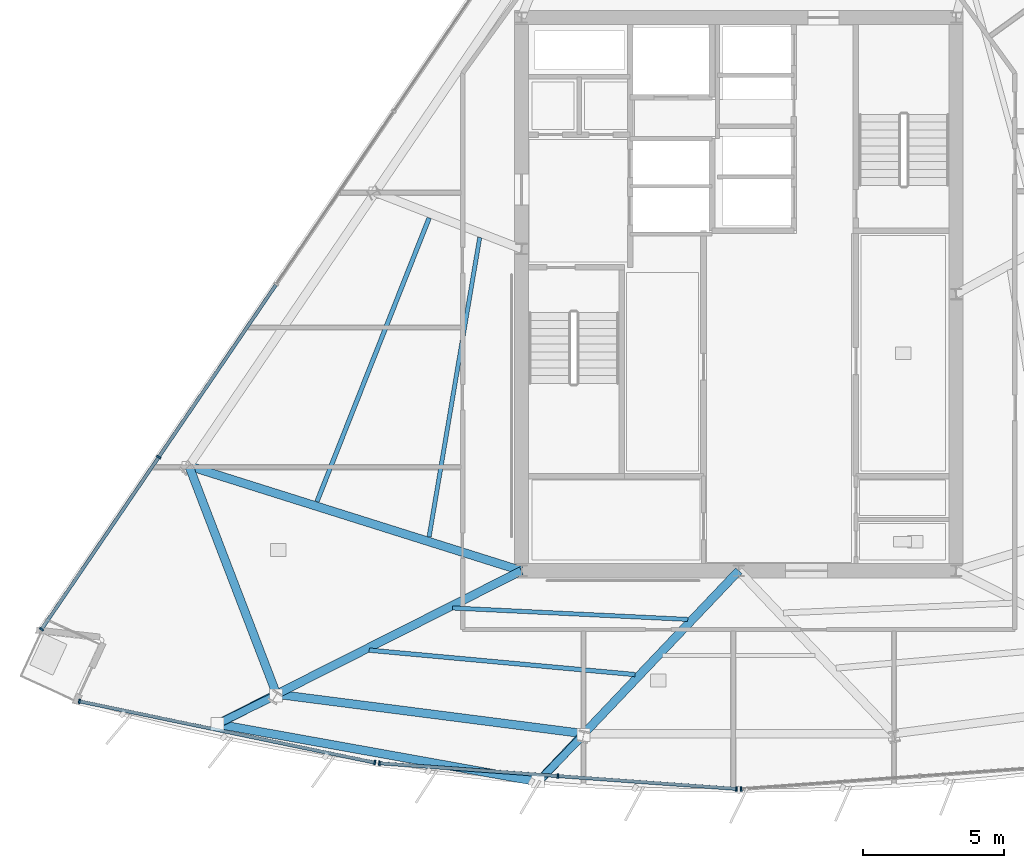
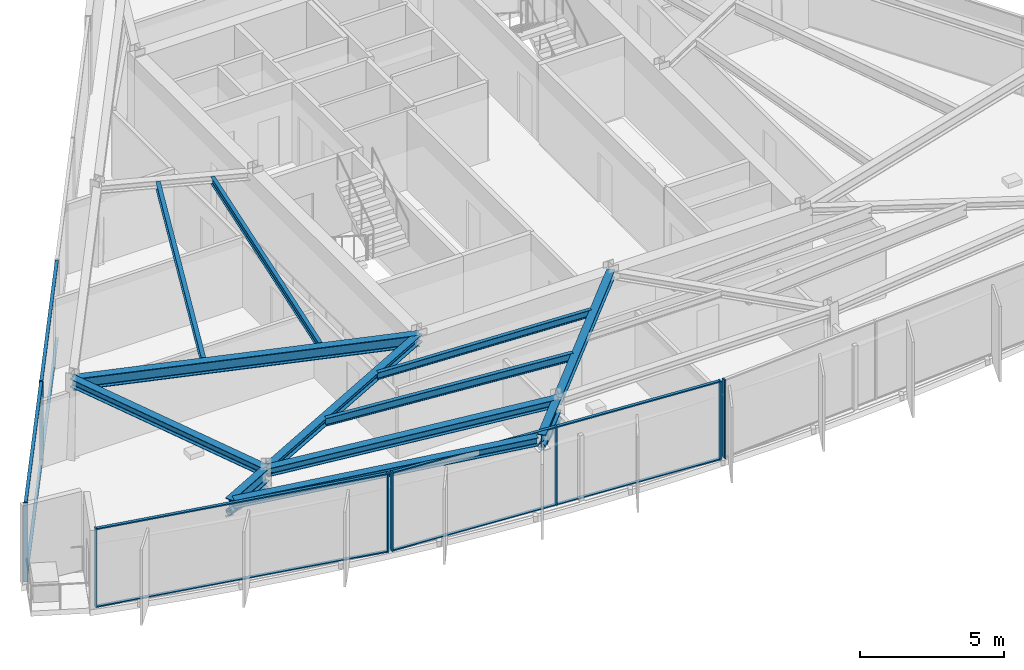
# One storey, part 2 of 13: 20 members, 12 beams, 4 elements without a shape of their own.
"""IFC4 building model written with IfcOpenShell, lengths in metres."""

from ifc_helpers import new_model, si_unit, direction, frame, origin, origin_2d, place, context, subcontext, project, spatial, rectangle, hollow_circle, i_section, extrude, material, material_profile, profile_set, type_object, element, aggregate, save


model = new_model("IFC4")

# Units and contexts
model_context = context("Model", 3, precision=1e-05, world=origin(), true_north=direction((0.0, 1.0)))
body_context = subcontext(model_context, "Body", "Model", "MODEL_VIEW")
ifc_project = project(units=[si_unit("LENGTHUNIT", "METRE"), si_unit("AREAUNIT", "SQUARE_METRE"), si_unit("VOLUMEUNIT", "CUBIC_METRE"), si_unit("PLANEANGLEUNIT", "RADIAN"), si_unit("MASSUNIT", "GRAM", prefix="KILO")], contexts=[model_context])

# Site, building, storey
site_placement = place(None, origin())
site = spatial("IfcSite", under=ifc_project, at=site_placement, CompositionType="ELEMENT")
building_placement = place(site_placement, origin())
building = spatial("IfcBuilding", under=site, at=building_placement, Name="Savorim Split Tower", CompositionType="ELEMENT")
storey_placement = place(building_placement, frame((0.0, 0.0, 223.5)))
storey = spatial("IfcBuildingStorey", under=building, at=storey_placement, Name="L59", CompositionType="ELEMENT", Elevation=223.5)

# Beams
ifc_material_1 = material(Name="Steel S355", Category="steel")
ifc_material_profile_1 = material_profile(ifc_material_1, i_section(OverallWidth=0.14990234375, OverallDepth=0.300048828125, WebThickness=0.007080078125, FlangeThickness=0.0107421875, FilletRadius=0.014892578125, at=origin_2d()), Name="IPE 300")
ifc_profile_set_1 = profile_set([ifc_material_profile_1], Name="Steel S355")
beam_type_1 = type_object("IfcBeamType", Name="BM-JST-IPE300", PredefinedType="JOIST", material=ifc_profile_set_1)
beam_1_placement = place(storey_placement, frame((-10.142333984375, -10.719970703125, 3.199951171875), z_axis=(0.998828820926, -0.048383741977, 0.0), x_axis=(0.048383741977, 0.998828820926, 0.0)))
element("IfcBeam", 1, at=beam_1_placement, inside=storey, type_object=beam_type_1, Name="L59 Secondary Floor Joist JS-02", PredefinedType="JOIST", context=body_context, shape_type="SweptSolid", body=[
    extrude(i_section(OverallWidth=0.14990234375, OverallDepth=0.300048828125, WebThickness=0.007080078125, FlangeThickness=0.0107421875, FilletRadius=0.014892578125, at=origin_2d()), origin(), (0.0, 0.0, 1.0), 8.345947265625),
])
beam_2_placement = place(storey_placement, frame((-9.1767578125, 2.404541015625, 3.199951171875), z_axis=(-0.166746300911, -0.985999833231, 0.0), x_axis=(0.985999833231, -0.166746300911, 0.0)))
element("IfcBeam", 2, at=beam_2_placement, inside=storey, type_object=beam_type_1, Name="L59 Secondary Floor Joist JS-11", PredefinedType="JOIST", context=body_context, shape_type="SweptSolid", body=[
    extrude(i_section(OverallWidth=0.14990234375, OverallDepth=0.300048828125, WebThickness=0.007080078125, FlangeThickness=0.0107421875, FilletRadius=0.014892578125, at=origin_2d()), origin(), (0.0, 0.0, 1.0), 10.758544921875),
])
ifc_material_profile_2 = material_profile(ifc_material_1, i_section(OverallWidth=0.159912109375, OverallDepth=0.330078125, WebThickness=0.007568359375, FlangeThickness=0.011474609375, FilletRadius=0.01806640625, at=origin_2d()), Name="IPE 330")
ifc_profile_set_2 = profile_set([ifc_material_profile_2], Name="Steel S355")
beam_type_2 = type_object("IfcBeamType", Name="BM-JST-IPE330", PredefinedType="JOIST", material=ifc_profile_set_2)
beam_3_placement = place(storey_placement, frame((-13.092041015625, -12.214111328125, 3.18505859375), z_axis=(0.995808800025, -0.091459465294, 0.0), x_axis=(0.091459465294, 0.995808800025, 0.0)))
element("IfcBeam", 3, at=beam_3_placement, inside=storey, type_object=beam_type_2, Name="L59 Secondary Floor Joist JS-01", PredefinedType="JOIST", context=body_context, shape_type="SweptSolid", body=[
    extrude(i_section(OverallWidth=0.159912109375, OverallDepth=0.330078125, WebThickness=0.007568359375, FlangeThickness=0.011474609375, FilletRadius=0.01806640625, at=origin_2d()), origin(), (0.0, 0.0, 1.0), 9.460205078125),
])
beam_4_placement = place(storey_placement, frame((-10.969482421875, 3.096435546875, 3.18505859375), z_axis=(-0.367725693236, -0.929934306569, 0.0), x_axis=(0.929934306569, -0.367725693236, 0.0)))
element("IfcBeam", 4, at=beam_4_placement, inside=storey, type_object=beam_type_2, Name="L59 Secondary Floor Joist JS-10", PredefinedType="JOIST", context=body_context, shape_type="SweptSolid", body=[
    extrude(i_section(OverallWidth=0.159912109375, OverallDepth=0.330078125, WebThickness=0.007568359375, FlangeThickness=0.011474609375, FilletRadius=0.01806640625, at=origin_2d()), origin(), (0.0, 0.0, 1.0), 10.8046875),
])
ifc_material_profile_3 = material_profile(ifc_material_1, i_section(OverallWidth=0.300048828125, OverallDepth=0.320068359375, WebThickness=0.011474609375, FlangeThickness=0.0205078125, FilletRadius=0.027099609375, at=origin_2d()), Name="HEB 320")
ifc_profile_set_3 = profile_set([ifc_material_profile_3], Name="Steel S355")
beam_type_3 = type_object("IfcBeamType", Name="BM-PRI-HEB320", PredefinedType="BEAM", material=ifc_profile_set_3)
beam_5_placement = place(storey_placement, frame((-16.373779296875, -13.774169921875, 3.18994140625), z_axis=(0.892883832921, 0.450287087211, 0.0), x_axis=(-0.450287087211, 0.892883832921, 0.0)))
element("IfcBeam", 5, at=beam_5_placement, inside=storey, type_object=beam_type_3, Name="L59 Primary Floor Girder RG-01", PredefinedType="BEAM", context=body_context, shape_type="SweptSolid", body=[
    extrude(i_section(OverallWidth=0.300048828125, OverallDepth=0.320068359375, WebThickness=0.011474609375, FlangeThickness=0.0205078125, FilletRadius=0.027099609375, at=origin_2d()), origin(), (0.0, 0.0, 1.0), 9.71435546875),
])
beam_6_placement = place(storey_placement, frame((-5.48779296875, -15.171875, 3.18994140625), z_axis=(0.689041042326, 0.72472232061, 0.0), x_axis=(-0.72472232061, 0.689041042326, 0.0)))
element("IfcBeam", 6, at=beam_6_placement, inside=storey, type_object=beam_type_3, Name="L59 Primary Floor Girder RG-02", PredefinedType="BEAM", context=body_context, shape_type="SweptSolid", body=[
    extrude(i_section(OverallWidth=0.300048828125, OverallDepth=0.320068359375, WebThickness=0.011474609375, FlangeThickness=0.0205078125, FilletRadius=0.027099609375, at=origin_2d()), origin(), (0.0, 0.0, 1.0), 7.96435546875),
])
ifc_material_profile_4 = material_profile(ifc_material_1, i_section(OverallWidth=0.300048828125, OverallDepth=0.5, WebThickness=0.014404296875, FlangeThickness=0.028076171875, FilletRadius=0.027099609375, at=origin_2d()), Name="HEB 500")
ifc_profile_set_4 = profile_set([ifc_material_profile_4], Name="Steel S355")
beam_type_4 = type_object("IfcBeamType", Name="BM-PRI-HEB500", PredefinedType="BEAM", material=ifc_profile_set_4)
beam_7_placement = place(storey_placement, frame((-19.476318359375, -5.690185546875, 3.10009765625), z_axis=(0.953794905796, -0.300458445841, 0.0), x_axis=(0.300458445841, 0.953794905796, 0.0)))
element("IfcBeam", 7, at=beam_7_placement, inside=storey, type_object=beam_type_4, Name="L59 Primary Floor Girder RG-10", PredefinedType="BEAM", context=body_context, shape_type="SweptSolid", body=[
    extrude(i_section(OverallWidth=0.300048828125, OverallDepth=0.5, WebThickness=0.014404296875, FlangeThickness=0.028076171875, FilletRadius=0.027099609375, at=origin_2d()), origin(), (0.0, 0.0, 1.0), 12.346923828125),
])
ifc_material_profile_5 = material_profile(ifc_material_1, i_section(OverallWidth=0.300048828125, OverallDepth=0.550048828125, WebThickness=0.014892578125, FlangeThickness=0.029052734375, FilletRadius=0.027099609375, at=origin_2d()), Name="HEB 550")
ifc_profile_set_5 = profile_set([ifc_material_profile_5], Name="Steel S355")
beam_type_5 = type_object("IfcBeamType", Name="BM-PRI-HEB550", PredefinedType="BEAM", material=ifc_profile_set_5)
for number, where, z_axis, x_axis, name in (
    (8, (-16.373779296875, -13.774169921875, 3.074951171875), (-0.892905302562, -0.450244512077, 0.0), (0.450244512077, -0.892905302562, 0.0), "L59 Cantilevered Lounge Rib 1"),
    (9, (-5.48779296875, -15.171875, 3.074951171875), (-0.689066100686, -0.724698495159, 0.0), (0.724698495159, -0.689066100686, 0.0), "L59 Cantilevered Lounge Rib 2"),
):
    element("IfcBeam", number, at=place(storey_placement, frame(where, z_axis=z_axis, x_axis=x_axis)), inside=storey, type_object=beam_type_5, Name=name, PredefinedType="BEAM", context=body_context, shape_type="SweptSolid", body=[
        extrude(i_section(OverallWidth=0.300048828125, OverallDepth=0.550048828125, WebThickness=0.014892578125, FlangeThickness=0.029052734375, FilletRadius=0.027099609375, at=origin_2d()), origin(), (0.0, 0.0, 1.0), 2.35009765625),
    ])
ifc_material_profile_6 = material_profile(ifc_material_1, i_section(OverallWidth=0.300048828125, OverallDepth=0.35009765625, WebThickness=0.010009765625, FlangeThickness=0.017578125, FilletRadius=0.027099609375, at=origin_2d()), Name="HEA 360")
ifc_profile_set_6 = profile_set([ifc_material_profile_6], Name="Steel S355")
beam_type_6 = type_object("IfcBeamType", Name="BM-SPN-HEA360", PredefinedType="SPANDREL", material=ifc_profile_set_6)
beam_8_placement = place(storey_placement, frame((-16.373779296875, -13.774169921875, 3.175048828125), z_axis=(0.991857906554, -0.127349492364, 0.0), x_axis=(0.127349492364, 0.991857906554, 0.0)))
element("IfcBeam", 10, at=beam_8_placement, inside=storey, type_object=beam_type_6, Name="L59 Perimeter Spandrel Beam 1", PredefinedType="SPANDREL", context=body_context, shape_type="SweptSolid", body=[
    extrude(i_section(OverallWidth=0.300048828125, OverallDepth=0.35009765625, WebThickness=0.010009765625, FlangeThickness=0.017578125, FilletRadius=0.027099609375, at=origin_2d()), origin(), (0.0, 0.0, 1.0), 10.975341796875),
])
beam_9_placement = place(storey_placement, frame((-19.476318359375, -5.690185546875, 3.175048828125), z_axis=(0.358306367388, -0.933604063342, 0.0), x_axis=(0.933604063342, 0.358306367388, 0.0)))
element("IfcBeam", 11, at=beam_9_placement, inside=storey, type_object=beam_type_6, Name="L59 Perimeter Spandrel Beam 10", PredefinedType="SPANDREL", context=body_context, shape_type="SweptSolid", body=[
    extrude(i_section(OverallWidth=0.300048828125, OverallDepth=0.35009765625, WebThickness=0.010009765625, FlangeThickness=0.017578125, FilletRadius=0.027099609375, at=origin_2d()), origin(), (0.0, 0.0, 1.0), 8.658935546875),
])
beam_10_placement = place(storey_placement, frame((-18.314697265625, -14.860595703125, 3.175048828125), z_axis=(0.984228712261, -0.176900655625, 0.0), x_axis=(0.176900655625, 0.984228712261, 0.0)))
element("IfcBeam", 12, at=beam_10_placement, inside=storey, type_object=beam_type_6, Name="L59 Cantilevered Lounge Front Edge Beam", PredefinedType="SPANDREL", context=body_context, shape_type="SweptSolid", body=[
    extrude(i_section(OverallWidth=0.300048828125, OverallDepth=0.35009765625, WebThickness=0.010009765625, FlangeThickness=0.017578125, FilletRadius=0.027099609375, at=origin_2d()), origin(), (0.0, 0.0, 1.0), 11.22705078125),
])

# Curtain wall, members
ifc_material_2 = material(Name="Dark Ceramic-Fritted Insulated Glass", Category="glass")
curtain_wall_type = type_object("IfcCurtainWallType", Name="CW-TWR-FRIT-B", PredefinedType="NOTDEFINED", material=ifc_material_2)
curtain_wall_1_placement = place(storey_placement, origin())
curtain_wall_1 = element("IfcCurtainWall", 13, at=curtain_wall_1_placement, inside=storey, type_object=curtain_wall_type, Name="L59 Curtain Wall CW-L59-SF1", PredefinedType="NOTDEFINED")
ifc_material_3 = material(Name="Charcoal Anodised Aluminium", Category="aluminium")
ifc_material_profile_7 = material_profile(ifc_material_3, rectangle(XDim=0.159912109375, YDim=0.06005859375, at=origin_2d()), Name="ALU-M 160x60")
ifc_profile_set_7 = profile_set([ifc_material_profile_7], Name="Charcoal Anodised Aluminium")
member_type_1 = type_object("IfcMemberType", Name="CWM-160x60", PredefinedType="MULLION", material=ifc_profile_set_7)
member_1_placement = place(storey_placement, frame((-23.359619140625, -14.0244140625, 0.0), z_axis=(0.0, 0.0, 1.0), x_axis=(0.203212249506, 0.979134710676, 0.0)))
member_1 = element("IfcMember", 14, at=member_1_placement, type_object=member_type_1, Name="CW-03 mullion 1", PredefinedType="MULLION", context=body_context, shape_type="SweptSolid", body=[
    extrude(rectangle(XDim=0.159912109375, YDim=0.06005859375, at=origin_2d()), origin(), (0.0, 0.0, 1.0), 3.35009765625),
])
member_2_placement = place(storey_placement, frame((-12.894287109375, -16.196533203125, 0.0), z_axis=(0.0, 0.0, 1.0), x_axis=(0.203212249506, 0.979134710676, 0.0)))
member_2 = element("IfcMember", 15, at=member_2_placement, type_object=member_type_1, Name="CW-03 mullion 2", PredefinedType="MULLION", context=body_context, shape_type="SweptSolid", body=[
    extrude(rectangle(XDim=0.159912109375, YDim=0.06005859375, at=origin_2d()), origin(), (0.0, 0.0, 1.0), 3.35009765625),
])

curtain_wall_2_placement = place(storey_placement, origin())
curtain_wall_2 = element("IfcCurtainWall", 16, at=curtain_wall_2_placement, inside=storey, type_object=curtain_wall_type, Name="L59 Curtain Wall CW-L59-SF2", PredefinedType="NOTDEFINED")
member_3_placement = place(storey_placement, frame((-12.732177734375, -16.218994140625, 0.0), z_axis=(0.0, 0.0, 1.0), x_axis=(0.071558224136, 0.997436424319, 0.0)))
member_3 = element("IfcMember", 17, at=member_3_placement, type_object=member_type_1, Name="CW-03 mullion 1", PredefinedType="MULLION", context=body_context, shape_type="SweptSolid", body=[
    extrude(rectangle(XDim=0.159912109375, YDim=0.06005859375, at=origin_2d()), origin(), (0.0, 0.0, 1.0), 3.35009765625),
])
member_4_placement = place(storey_placement, frame((-6.40673828125, -16.6728515625, 0.0), z_axis=(0.0, 0.0, 1.0), x_axis=(0.071558224136, 0.997436424319, 0.0)))
member_4 = element("IfcMember", 18, at=member_4_placement, type_object=member_type_1, Name="CW-03 mullion 2", PredefinedType="MULLION", context=body_context, shape_type="SweptSolid", body=[
    extrude(rectangle(XDim=0.159912109375, YDim=0.06005859375, at=origin_2d()), origin(), (0.0, 0.0, 1.0), 3.35009765625),
])
member_5_placement = place(storey_placement, frame((-0.081298828125, -17.126708984375, 0.0), z_axis=(0.0, 0.0, 1.0), x_axis=(0.071558224136, 0.997436424319, 0.0)))
member_5 = element("IfcMember", 19, at=member_5_placement, type_object=member_type_1, Name="CW-03 mullion 3", PredefinedType="MULLION", context=body_context, shape_type="SweptSolid", body=[
    extrude(rectangle(XDim=0.159912109375, YDim=0.06005859375, at=origin_2d()), origin(), (0.0, 0.0, 1.0), 3.35009765625),
])

# Curtain wall, member
curtain_wall_3_placement = place(storey_placement, origin())
curtain_wall_3 = element("IfcCurtainWall", 20, at=curtain_wall_3_placement, inside=storey, type_object=curtain_wall_type, Name="L59 Curtain Wall CW-L59-SF3", PredefinedType="NOTDEFINED")
member_6_placement = place(storey_placement, frame((0.081298828125, -17.126708984375, 0.0), z_axis=(0.0, 0.0, 1.0), x_axis=(-0.071558224136, 0.997436424319, 0.0)))
member_6 = element("IfcMember", 21, at=member_6_placement, type_object=member_type_1, Name="CW-03 mullion 1", PredefinedType="MULLION", context=body_context, shape_type="SweptSolid", body=[
    extrude(rectangle(XDim=0.159912109375, YDim=0.06005859375, at=origin_2d()), origin(), (0.0, 0.0, 1.0), 3.35009765625),
])
aggregate(curtain_wall_3, [member_6])

# Curtain wall, members
curtain_wall_4_placement = place(storey_placement, origin())
curtain_wall_4 = element("IfcCurtainWall", 22, at=curtain_wall_4_placement, inside=storey, type_object=curtain_wall_type, Name="L59 Curtain Wall CW-L59-WEST", PredefinedType="NOTDEFINED")
member_7_placement = place(storey_placement, frame((-20.5498046875, -5.375732421875, 0.0), z_axis=(0.0, 0.0, 1.0), x_axis=(0.826820024782, -0.562466573779, 0.0)))
member_7 = element("IfcMember", 23, at=member_7_placement, type_object=member_type_1, Name="CW-03 mullion 4", PredefinedType="MULLION", context=body_context, shape_type="SweptSolid", body=[
    extrude(rectangle(XDim=0.159912109375, YDim=0.06005859375, at=origin_2d()), origin(), (0.0, 0.0, 1.0), 3.35009765625),
])
member_8_placement = place(storey_placement, frame((-24.699462890625, -11.4755859375, 0.0), z_axis=(0.0, 0.0, 1.0), x_axis=(0.826820024782, -0.562466573779, 0.0)))
member_8 = element("IfcMember", 24, at=member_8_placement, type_object=member_type_1, Name="CW-03 mullion 5", PredefinedType="MULLION", context=body_context, shape_type="SweptSolid", body=[
    extrude(rectangle(XDim=0.159912109375, YDim=0.06005859375, at=origin_2d()), origin(), (0.0, 0.0, 1.0), 3.35009765625),
])

# Member
ifc_material_profile_8 = material_profile(ifc_material_3, rectangle(XDim=0.1201171875, YDim=0.050048828125, at=origin_2d()), Name="ALU-T 120x50")
ifc_profile_set_8 = profile_set([ifc_material_profile_8], Name="Charcoal Anodised Aluminium")
member_type_2 = type_object("IfcMemberType", Name="CWT-120x50", PredefinedType="USERDEFINED", material=ifc_profile_set_8)
member_9_placement = place(storey_placement, frame((-23.330322265625, -14.030517578125, 0.02490234375), z_axis=(0.979133406281, -0.203218534354, 0.0), x_axis=(0.203218534354, 0.979133406281, 0.0)))
member_9 = element("IfcMember", 25, at=member_9_placement, type_object=member_type_2, Name="CW-03 transom 1.1", ObjectType="TRANSOM", PredefinedType="USERDEFINED", context=body_context, shape_type="SweptSolid", body=[
    extrude(rectangle(XDim=0.1201171875, YDim=0.050048828125, at=origin_2d()), origin(), (0.0, 0.0, 1.0), 10.62841796875),
])

member_10_placement = place(storey_placement, frame((-23.330322265625, -14.030517578125, 3.324951171875), z_axis=(0.979133406281, -0.203218534354, 0.0), x_axis=(0.203218534354, 0.979133406281, 0.0)))
member_10 = element("IfcMember", 26, at=member_10_placement, type_object=member_type_2, Name="CW-03 transom 1.2", ObjectType="TRANSOM", PredefinedType="USERDEFINED", context=body_context, shape_type="SweptSolid", body=[
    extrude(rectangle(XDim=0.1201171875, YDim=0.050048828125, at=origin_2d()), origin(), (0.0, 0.0, 1.0), 10.62841796875),
])

aggregate(curtain_wall_1, [member_1, member_2, member_9, member_10])

member_11_placement = place(storey_placement, frame((-12.7021484375, -16.22119140625, 0.02490234375), z_axis=(0.997436952169, -0.071550866153, 0.0), x_axis=(0.071550866153, 0.997436952169, 0.0)))
member_11 = element("IfcMember", 27, at=member_11_placement, type_object=member_type_2, Name="CW-03 transom 1.1", ObjectType="TRANSOM", PredefinedType="USERDEFINED", context=body_context, shape_type="SweptSolid", body=[
    extrude(rectangle(XDim=0.1201171875, YDim=0.050048828125, at=origin_2d()), origin(), (0.0, 0.0, 1.0), 6.28173828125),
])

member_12_placement = place(storey_placement, frame((-12.7021484375, -16.22119140625, 3.324951171875), z_axis=(0.997436952169, -0.071550866153, 0.0), x_axis=(0.071550866153, 0.997436952169, 0.0)))
member_12 = element("IfcMember", 28, at=member_12_placement, type_object=member_type_2, Name="CW-03 transom 1.2", ObjectType="TRANSOM", PredefinedType="USERDEFINED", context=body_context, shape_type="SweptSolid", body=[
    extrude(rectangle(XDim=0.1201171875, YDim=0.050048828125, at=origin_2d()), origin(), (0.0, 0.0, 1.0), 6.28173828125),
])

member_13_placement = place(storey_placement, frame((-6.376708984375, -16.675048828125, 0.02490234375), z_axis=(0.997436952169, -0.071550866153, 0.0), x_axis=(0.071550866153, 0.997436952169, 0.0)))
member_13 = element("IfcMember", 29, at=member_13_placement, type_object=member_type_2, Name="CW-03 transom 2.1", ObjectType="TRANSOM", PredefinedType="USERDEFINED", context=body_context, shape_type="SweptSolid", body=[
    extrude(rectangle(XDim=0.1201171875, YDim=0.050048828125, at=origin_2d()), origin(), (0.0, 0.0, 1.0), 6.28173828125),
])

member_14_placement = place(storey_placement, frame((-6.376708984375, -16.675048828125, 3.324951171875), z_axis=(0.997436952169, -0.071550866153, 0.0), x_axis=(0.071550866153, 0.997436952169, 0.0)))
member_14 = element("IfcMember", 30, at=member_14_placement, type_object=member_type_2, Name="CW-03 transom 2.2", ObjectType="TRANSOM", PredefinedType="USERDEFINED", context=body_context, shape_type="SweptSolid", body=[
    extrude(rectangle(XDim=0.1201171875, YDim=0.050048828125, at=origin_2d()), origin(), (0.0, 0.0, 1.0), 6.28173828125),
])

aggregate(curtain_wall_2, [member_3, member_4, member_5, member_11, member_12, member_13, member_14])

member_15_placement = place(storey_placement, frame((-16.400146484375, 0.724365234375, 0.02490234375), z_axis=(-0.562466330854, -0.826820190039, 0.0), x_axis=(0.826820190039, -0.562466330854, 0.0)))
member_15 = element("IfcMember", 31, at=member_15_placement, type_object=member_type_2, Name="CW-03 transom 3.1", ObjectType="TRANSOM", PredefinedType="USERDEFINED", context=body_context, shape_type="SweptSolid", body=[
    extrude(rectangle(XDim=0.1201171875, YDim=0.050048828125, at=origin_2d()), origin(), (0.0, 0.0, 1.0), 7.34765625),
])

member_16_placement = place(storey_placement, frame((-16.400146484375, 0.724365234375, 3.324951171875), z_axis=(-0.562466330854, -0.826820190039, 0.0), x_axis=(0.826820190039, -0.562466330854, 0.0)))
member_16 = element("IfcMember", 32, at=member_16_placement, type_object=member_type_2, Name="CW-03 transom 3.2", ObjectType="TRANSOM", PredefinedType="USERDEFINED", context=body_context, shape_type="SweptSolid", body=[
    extrude(rectangle(XDim=0.1201171875, YDim=0.050048828125, at=origin_2d()), origin(), (0.0, 0.0, 1.0), 7.34765625),
])

member_17_placement = place(storey_placement, frame((-20.566650390625, -5.400390625, 0.02490234375), z_axis=(-0.562475185049, -0.826814166669, 0.0), x_axis=(0.826814166669, -0.562475185049, 0.0)))
member_17 = element("IfcMember", 33, at=member_17_placement, type_object=member_type_2, Name="CW-03 transom 4.1", ObjectType="TRANSOM", PredefinedType="USERDEFINED", context=body_context, shape_type="SweptSolid", body=[
    extrude(rectangle(XDim=0.1201171875, YDim=0.050048828125, at=origin_2d()), origin(), (0.0, 0.0, 1.0), 7.317626953125),
])

member_18_placement = place(storey_placement, frame((-20.566650390625, -5.400390625, 3.324951171875), z_axis=(-0.562475185049, -0.826814166669, 0.0), x_axis=(0.826814166669, -0.562475185049, 0.0)))
member_18 = element("IfcMember", 34, at=member_18_placement, type_object=member_type_2, Name="CW-03 transom 4.2", ObjectType="TRANSOM", PredefinedType="USERDEFINED", context=body_context, shape_type="SweptSolid", body=[
    extrude(rectangle(XDim=0.1201171875, YDim=0.050048828125, at=origin_2d()), origin(), (0.0, 0.0, 1.0), 7.317626953125),
])

aggregate(curtain_wall_4, [member_7, member_8, member_15, member_16, member_17, member_18])

# Members
ifc_material_profile_9 = material_profile(ifc_material_1, hollow_circle(Radius=0.136474609375, WallThickness=0.01611328125, at=origin_2d()), Name="CHS 273x16")
ifc_profile_set_9 = profile_set([ifc_material_profile_9], Name="Steel S355")
member_type_3 = type_object("IfcMemberType", Name="MBR-CRN-CHS273", PredefinedType="BRACE", material=ifc_profile_set_9)
member_19_placement = place(storey_placement, frame((-16.3974609375, -13.8125, 2.449951171875), z_axis=(-0.886162755933, -0.435573291543, 0.158086930807), x_axis=(0.441120291721, -0.897447986366, 0.0)))
element("IfcMember", 35, at=member_19_placement, inside=storey, type_object=member_type_3, Name="L59 Cantilevered Bay Support Strut 1", PredefinedType="BRACE", context=body_context, shape_type="SweptSolid", body=[
    extrude(hollow_circle(Radius=0.136474609375, WallThickness=0.01611328125, at=origin_2d()), origin(), (0.0, 0.0, 1.0), 2.34130859375),
])
member_20_placement = place(storey_placement, frame((-5.49560546875, -15.212158203125, 2.449951171875), z_axis=(-0.687227033511, -0.709090035638, 0.157830053447), x_axis=(0.718090371989, -0.6959498672, 0.0)))
element("IfcMember", 36, at=member_20_placement, inside=storey, type_object=member_type_3, Name="L59 Cantilevered Bay Support Strut 2", PredefinedType="BRACE", context=body_context, shape_type="SweptSolid", body=[
    extrude(hollow_circle(Radius=0.136474609375, WallThickness=0.01611328125, at=origin_2d()), origin(), (0.0, 0.0, 1.0), 2.344970703125),
])

save(model, "model.ifc")
